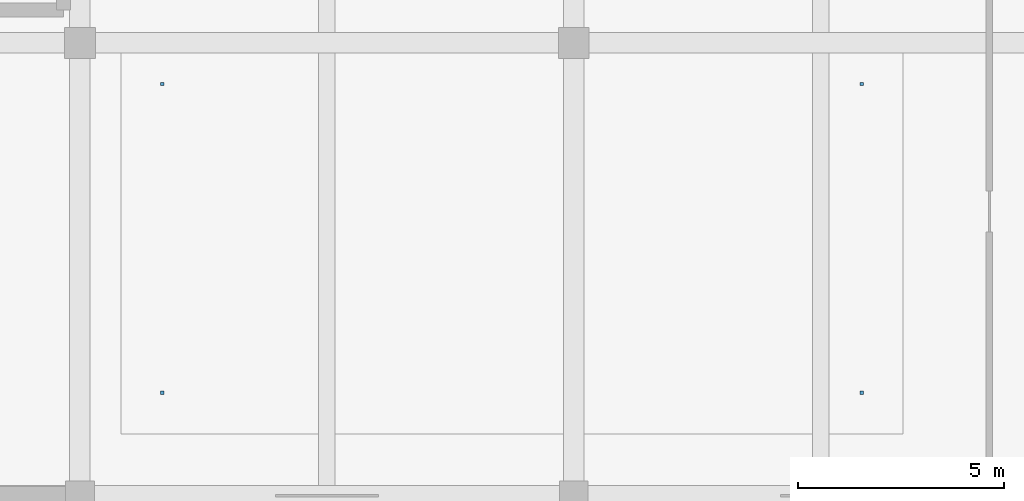
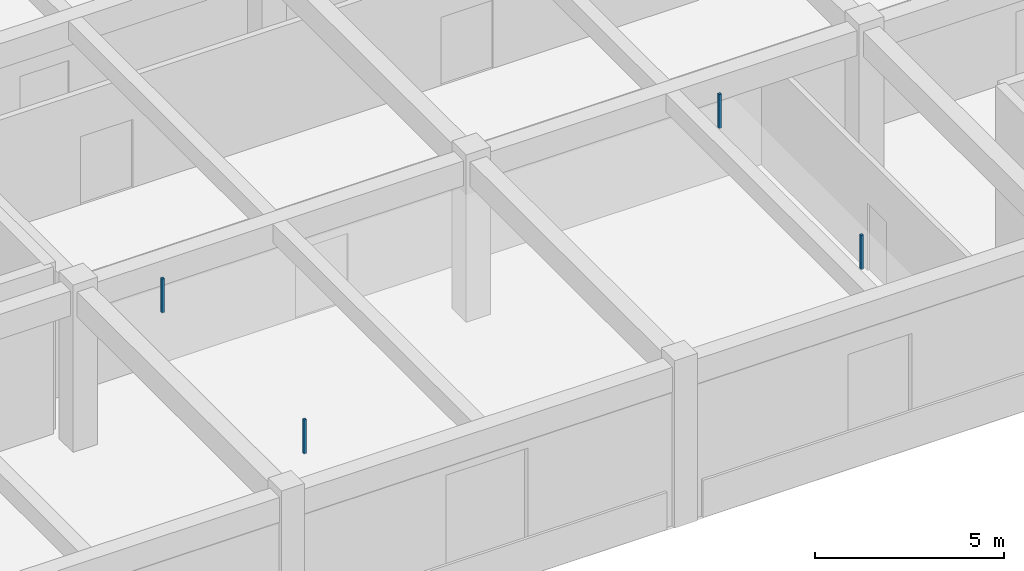
# One storey, part 41 of 53: 4 discrete accessories.
"""IFC4 building model written with IfcOpenShell, lengths in metres."""

from ifc_helpers import new_model, si_unit, derived_unit, direction, frame, origin, origin_2d, place, context, subcontext, project, spatial, rectangle, extrude, material, type_object, element, save


model = new_model("IFC4")

# Units and contexts
model_context = context("Model", 3, precision=1e-05, world=origin(), true_north=direction((0.0, 1.0)))
body_context = subcontext(model_context, "Body", "Model", "MODEL_VIEW")
ifc_project = project(units=[si_unit("LENGTHUNIT", "METRE"), si_unit("AREAUNIT", "SQUARE_METRE"), si_unit("VOLUMEUNIT", "CUBIC_METRE"), si_unit("PLANEANGLEUNIT", "RADIAN"), si_unit("MASSUNIT", "GRAM", prefix="KILO"), derived_unit("THERMALTRANSMITTANCEUNIT", [(si_unit("POWERUNIT", "WATT"), 1), (si_unit("LENGTHUNIT", "METRE"), -2), (si_unit("THERMODYNAMICTEMPERATUREUNIT", "KELVIN"), -1)])], contexts=[model_context])

# Site, building, storey
site_placement = place(None, origin())
site = spatial("IfcSite", under=ifc_project, at=site_placement, CompositionType="ELEMENT")
building_placement = place(site_placement, origin())
building = spatial("IfcBuilding", under=site, at=building_placement, Name="Almenara Railside Exhibition Hall", CompositionType="ELEMENT")
storey_placement = place(building_placement, origin())
storey = spatial("IfcBuildingStorey", under=building, at=storey_placement, Name="L00", CompositionType="ELEMENT", Elevation=0.0)

# Discrete accessories
ifc_material = material(Name="Galvanised steel suspension bracket", Category="steel")
discrete_accessory_type = type_object("IfcDiscreteAccessoryType", Name="Ceiling Suspension Bracket Hanger", PredefinedType="BRACKET", material=ifc_material)
for number, where, z_axis, x_axis, name in (
    (1, (140.0, 2.5, 4.079833984375), (0.0, 0.0, 1.0), (1.0, 0.0, 0.0), "Ceiling suspension hanger 0009"),
    (2, (140.0, 10.0, 4.079833984375), (0.0, 0.0, 1.0), (1.0, 0.0, 0.0), "Ceiling suspension hanger 0010"),
    (3, (157.0, 2.5, 4.079833984375), (0.0, 0.0, 1.0), (1.0, 0.0, 0.0), "Ceiling suspension hanger 0011"),
    (4, (157.0, 10.0, 4.079833984375), (0.0, 0.0, 1.0), (1.0, 0.0, 0.0), "Ceiling suspension hanger 0012"),
):
    element("IfcDiscreteAccessory", number, at=place(storey_placement, frame(where, z_axis=z_axis, x_axis=x_axis)), inside=storey, type_object=discrete_accessory_type, Name=name, PredefinedType="BRACKET", context=body_context, shape_type="SweptSolid", body=[
        extrude(rectangle(XDim=0.080078125, YDim=0.080078125, at=origin_2d()), origin(), (0.0, 0.0, 1.0), 1.10009765625),
    ])

save(model, "model.ifc")
